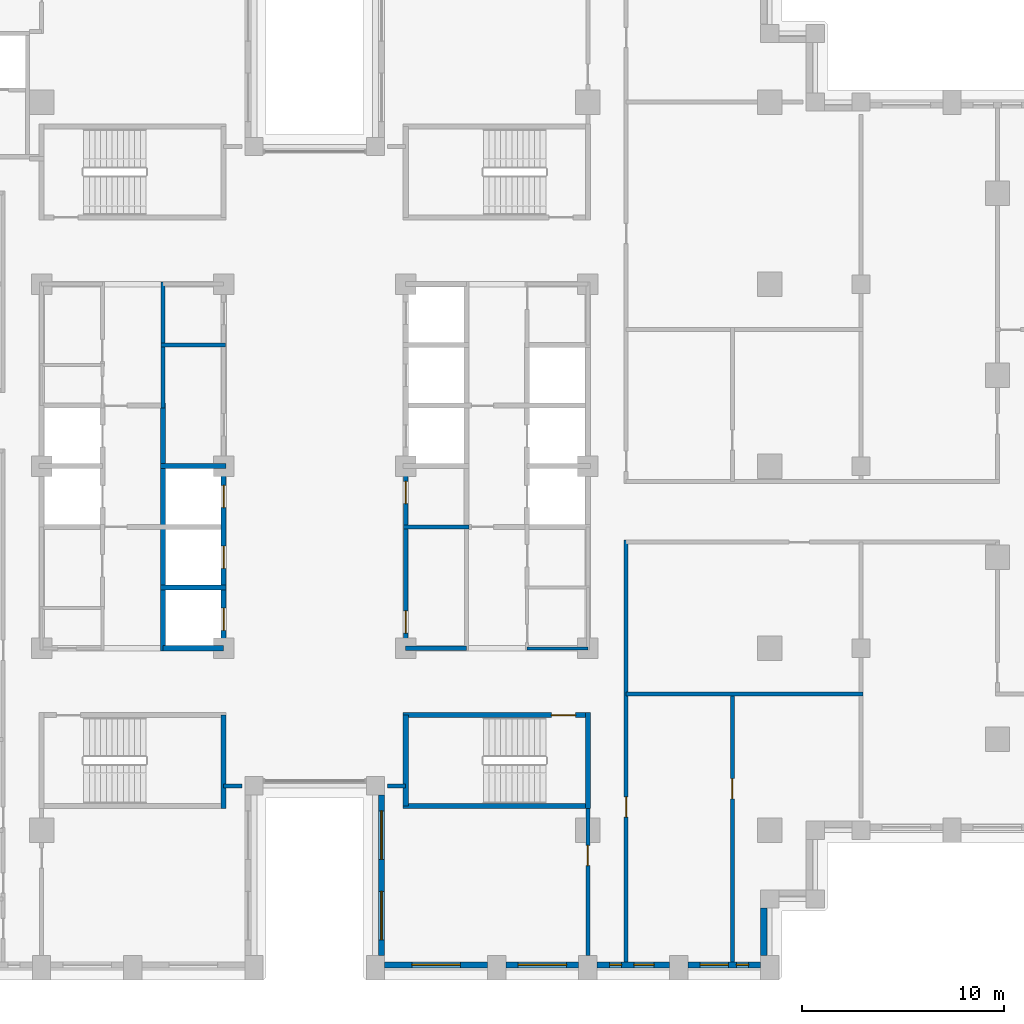
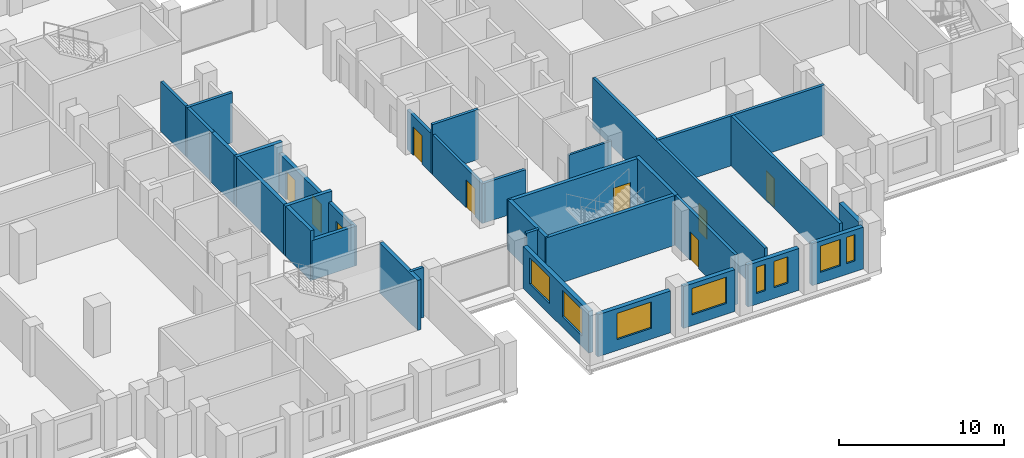
# One storey, part 8 of 16: 28 walls, 9 doors, 8 windows, 17 openings.
"""IFC4 building model written with IfcOpenShell, lengths in metres."""

from ifc_helpers import new_model, si_unit, direction, frame, frame_2d, origin, place, context, subcontext, project, spatial, rectangle, extrude, material, layer, layer_set, type_object, element, fill, save


model = new_model("IFC4")

# Units and contexts
model_context = context("Model", 3, precision=1e-05, world=origin(), true_north=direction((0.0, 1.0)))
body_context = subcontext(model_context, "Body", "Model", "MODEL_VIEW")
ifc_project = project(units=[si_unit("LENGTHUNIT", "METRE"), si_unit("AREAUNIT", "SQUARE_METRE"), si_unit("VOLUMEUNIT", "CUBIC_METRE"), si_unit("PLANEANGLEUNIT", "RADIAN"), si_unit("MASSUNIT", "GRAM", prefix="KILO")], contexts=[model_context])

# Site, building, storey
site_placement = place(None, origin())
site = spatial("IfcSite", under=ifc_project, at=site_placement, CompositionType="ELEMENT")
building_placement = place(site_placement, origin())
building = spatial("IfcBuilding", under=site, at=building_placement, Name="Corbelhall Arena Tower", CompositionType="ELEMENT")
storey_placement = place(building_placement, frame((0.0, 0.0, 72.0)))
storey = spatial("IfcBuildingStorey", under=building, at=storey_placement, Name="L10", CompositionType="ELEMENT", Elevation=72.0)

# Wall, openings, windows
ifc_material_1 = material(Name="Precast concrete C40/50 with granite facing", Category="masonry")
ifc_layer_1 = layer(ifc_material_1, 0.300048828125)
ifc_layer_set_1 = layer_set([ifc_layer_1], Name="EV-IW1 Infill panel 300")
wall_type_1 = type_object("IfcWallType", Name="EV-IW1 Infill panel 300", PredefinedType="SOLIDWALL", material=ifc_layer_set_1)
wall_1_placement = place(storey_placement, frame((3.300048828125, -16.25, 0.0), z_axis=(0.0, 0.0, 1.0), x_axis=(0.0, -1.0, 0.0)))
wall_1 = element("IfcWall", 1, at=wall_1_placement, inside=storey, type_object=wall_type_1, Name="Infill panel IW1", PredefinedType="SOLIDWALL", context=body_context, shape_type="SweptSolid", body=[
    extrude(rectangle(XDim=7.949951171875, YDim=0.300048828125, at=frame_2d((3.97509765625, 0.0))), origin(), (0.0, 0.0, 1.0), 3.10009765625),
])
opening_1_placement = place(wall_1_placement, frame((0.78759765625, 0.0, 0.800048828125)))
opening_1 = element("IfcOpeningElement", 2, at=opening_1_placement, cuts=wall_1, Name="Opening WN1", PredefinedType="OPENING", context=body_context, shape_type="SweptSolid", body=[
    extrude(rectangle(XDim=2.39990234375, YDim=1.949951171875, at=frame_2d((1.199951171875, 0.97509765625))), frame((0.0, 0.14990234375, 0.0), z_axis=(0.0, -1.0, 0.0), x_axis=(1.0, 0.0, 0.0)), (0.0, 0.0, 1.0), 0.300048828125),
])
opening_2_placement = place(wall_1_placement, frame((4.762451171875, 0.0, 0.800048828125)))
opening_2 = element("IfcOpeningElement", 3, at=opening_2_placement, cuts=wall_1, Name="Opening WN1", PredefinedType="OPENING", context=body_context, shape_type="SweptSolid", body=[
    extrude(rectangle(XDim=2.39990234375, YDim=1.949951171875, at=frame_2d((1.199951171875, 0.97509765625))), frame((0.0, 0.14990234375, 0.0), z_axis=(0.0, -1.0, 0.0), x_axis=(1.0, 0.0, 0.0)), (0.0, 0.0, 1.0), 0.300048828125),
])
ifc_material_2 = material(Name="Aluminium black anodised", Category="aluminium")
window_type_1 = type_object("IfcWindowType", Name="EV-WN1 Office window", PartitioningType="SINGLE_PANEL", PredefinedType="WINDOW", material=ifc_material_2)
window_1_placement = place(opening_1_placement, origin())
window_1 = element("IfcWindow", 4, at=window_1_placement, inside=storey, type_object=window_type_1, Name="Window WN1", OverallHeight=1.949951171875, OverallWidth=2.39990234375, PartitioningType="SINGLE_PANEL", PredefinedType="WINDOW", context=body_context, shape_type="SweptSolid", body=[
    extrude(rectangle(XDim=2.39990234375, YDim=1.949951171875, at=frame_2d((1.199951171875, 0.97509765625))), frame((0.0, 0.030029296875, 0.0), z_axis=(0.0, -1.0, 0.0), x_axis=(1.0, 0.0, 0.0)), (0.0, 0.0, 1.0), 0.06005859375),
])
fill(opening_1, window_1)
window_2_placement = place(opening_2_placement, origin())
window_2 = element("IfcWindow", 5, at=window_2_placement, inside=storey, type_object=window_type_1, Name="Window WN1", OverallHeight=1.949951171875, OverallWidth=2.39990234375, PartitioningType="SINGLE_PANEL", PredefinedType="WINDOW", context=body_context, shape_type="SweptSolid", body=[
    extrude(rectangle(XDim=2.39990234375, YDim=1.949951171875, at=frame_2d((1.199951171875, 0.97509765625))), frame((0.0, 0.030029296875, 0.0), z_axis=(0.0, -1.0, 0.0), x_axis=(1.0, 0.0, 0.0)), (0.0, 0.0, 1.0), 0.06005859375),
])
fill(opening_2, window_2)

# Wall, opening, window
wall_2_placement = place(storey_placement, frame((3.449951171875, -24.64990234375, 0.0), z_axis=(0.0, 0.0, 1.0), x_axis=(1.0, 0.0, 0.0)))
wall_2 = element("IfcWall", 6, at=wall_2_placement, inside=storey, type_object=wall_type_1, Name="Infill panel IW1", PredefinedType="SOLIDWALL", context=body_context, shape_type="SweptSolid", body=[
    extrude(rectangle(XDim=5.10009765625, YDim=0.300048828125, at=frame_2d((2.550048828125, 0.0))), origin(), (0.0, 0.0, 1.0), 3.10009765625),
])
opening_3_placement = place(wall_2_placement, frame((1.35009765625, 0.0, 0.800048828125)))
opening_3 = element("IfcOpeningElement", 7, at=opening_3_placement, cuts=wall_2, Name="Opening WN1", PredefinedType="OPENING", context=body_context, shape_type="SweptSolid", body=[
    extrude(rectangle(XDim=2.39990234375, YDim=1.949951171875, at=frame_2d((1.199951171875, 0.97509765625))), frame((0.0, 0.14990234375, 0.0), z_axis=(0.0, -1.0, 0.0), x_axis=(1.0, 0.0, 0.0)), (0.0, 0.0, 1.0), 0.300048828125),
])
window_3_placement = place(opening_3_placement, origin())
window_3 = element("IfcWindow", 8, at=window_3_placement, inside=storey, type_object=window_type_1, Name="Window WN1", OverallHeight=1.949951171875, OverallWidth=2.39990234375, PartitioningType="SINGLE_PANEL", PredefinedType="WINDOW", context=body_context, shape_type="SweptSolid", body=[
    extrude(rectangle(XDim=2.39990234375, YDim=1.949951171875, at=frame_2d((1.199951171875, 0.97509765625))), frame((0.0, 0.030029296875, 0.0), z_axis=(0.0, -1.0, 0.0), x_axis=(1.0, 0.0, 0.0)), (0.0, 0.0, 1.0), 0.06005859375),
])
fill(opening_3, window_3)

wall_3_placement = place(storey_placement, frame((9.449951171875, -24.64990234375, 0.0), z_axis=(0.0, 0.0, 1.0), x_axis=(1.0, 0.0, 0.0)))
wall_3 = element("IfcWall", 9, at=wall_3_placement, inside=storey, type_object=wall_type_1, Name="Infill panel IW1", PredefinedType="SOLIDWALL", context=body_context, shape_type="SweptSolid", body=[
    extrude(rectangle(XDim=3.60009765625, YDim=0.300048828125, at=frame_2d((1.800048828125, 0.0))), origin(), (0.0, 0.0, 1.0), 3.10009765625),
])
opening_4_placement = place(wall_3_placement, frame((0.60009765625, 0.0, 0.800048828125)))
opening_4 = element("IfcOpeningElement", 10, at=opening_4_placement, cuts=wall_3, Name="Opening WN1", PredefinedType="OPENING", context=body_context, shape_type="SweptSolid", body=[
    extrude(rectangle(XDim=2.39990234375, YDim=1.949951171875, at=frame_2d((1.199951171875, 0.97509765625))), frame((0.0, 0.14990234375, 0.0), z_axis=(0.0, -1.0, 0.0), x_axis=(1.0, 0.0, 0.0)), (0.0, 0.0, 1.0), 0.300048828125),
])
window_4_placement = place(opening_4_placement, origin())
window_4 = element("IfcWindow", 11, at=window_4_placement, inside=storey, type_object=window_type_1, Name="Window WN1", OverallHeight=1.949951171875, OverallWidth=2.39990234375, PartitioningType="SINGLE_PANEL", PredefinedType="WINDOW", context=body_context, shape_type="SweptSolid", body=[
    extrude(rectangle(XDim=2.39990234375, YDim=1.949951171875, at=frame_2d((1.199951171875, 0.97509765625))), frame((0.0, 0.030029296875, 0.0), z_axis=(0.0, -1.0, 0.0), x_axis=(1.0, 0.0, 0.0)), (0.0, 0.0, 1.0), 0.06005859375),
])
fill(opening_4, window_4)

# Wall, openings, windows
wall_4_placement = place(storey_placement, frame((13.949951171875, -24.64990234375, 0.0), z_axis=(0.0, 0.0, 1.0), x_axis=(1.0, 0.0, 0.0)))
wall_4 = element("IfcWall", 12, at=wall_4_placement, inside=storey, type_object=wall_type_1, Name="Infill panel IW1", PredefinedType="SOLIDWALL", context=body_context, shape_type="SweptSolid", body=[
    extrude(rectangle(XDim=3.60009765625, YDim=0.300048828125, at=frame_2d((1.800048828125, 0.0))), origin(), (0.0, 0.0, 1.0), 3.10009765625),
])
opening_5_placement = place(wall_4_placement, frame((0.625, 0.0, 0.800048828125)))
opening_5 = element("IfcOpeningElement", 13, at=opening_5_placement, cuts=wall_4, Name="Opening WN5", PredefinedType="OPENING", context=body_context, shape_type="SweptSolid", body=[
    extrude(rectangle(XDim=0.60009765625, YDim=1.949951171875, at=frame_2d((0.300048828125, 0.97509765625))), frame((0.0, 0.14990234375, 0.0), z_axis=(0.0, -1.0, 0.0), x_axis=(1.0, 0.0, 0.0)), (0.0, 0.0, 1.0), 0.300048828125),
])
opening_6_placement = place(wall_4_placement, frame((1.824951171875, 0.0, 0.800048828125)))
opening_6 = element("IfcOpeningElement", 14, at=opening_6_placement, cuts=wall_4, Name="Opening WN6", PredefinedType="OPENING", context=body_context, shape_type="SweptSolid", body=[
    extrude(rectangle(XDim=1.0, YDim=1.949951171875, at=frame_2d((0.5, 0.97509765625))), frame((0.0, 0.14990234375, 0.0), z_axis=(0.0, -1.0, 0.0), x_axis=(1.0, 0.0, 0.0)), (0.0, 0.0, 1.0), 0.300048828125),
])
window_type_2 = type_object("IfcWindowType", Name="EV-WN5 Office window 600", PartitioningType="SINGLE_PANEL", PredefinedType="WINDOW", material=ifc_material_2)
window_5_placement = place(opening_5_placement, origin())
window_5 = element("IfcWindow", 15, at=window_5_placement, inside=storey, type_object=window_type_2, Name="Window WN5", OverallHeight=1.949951171875, OverallWidth=0.60009765625, PartitioningType="SINGLE_PANEL", PredefinedType="WINDOW", context=body_context, shape_type="SweptSolid", body=[
    extrude(rectangle(XDim=0.60009765625, YDim=1.949951171875, at=frame_2d((0.300048828125, 0.97509765625))), frame((0.0, 0.030029296875, 0.0), z_axis=(0.0, -1.0, 0.0), x_axis=(1.0, 0.0, 0.0)), (0.0, 0.0, 1.0), 0.06005859375),
])
fill(opening_5, window_5)
window_type_3 = type_object("IfcWindowType", Name="EV-WN6 Office window 1000", PartitioningType="SINGLE_PANEL", PredefinedType="WINDOW", material=ifc_material_2)
window_6_placement = place(opening_6_placement, origin())
window_6 = element("IfcWindow", 16, at=window_6_placement, inside=storey, type_object=window_type_3, Name="Window WN6", OverallHeight=1.949951171875, OverallWidth=1.0, PartitioningType="SINGLE_PANEL", PredefinedType="WINDOW", context=body_context, shape_type="SweptSolid", body=[
    extrude(rectangle(XDim=1.0, YDim=1.949951171875, at=frame_2d((0.5, 0.97509765625))), frame((0.0, 0.030029296875, 0.0), z_axis=(0.0, -1.0, 0.0), x_axis=(1.0, 0.0, 0.0)), (0.0, 0.0, 1.0), 0.06005859375),
])
fill(opening_6, window_6)

wall_5_placement = place(storey_placement, frame((18.449951171875, -24.64990234375, 0.0), z_axis=(0.0, 0.0, 1.0), x_axis=(1.0, 0.0, 0.0)))
wall_5 = element("IfcWall", 17, at=wall_5_placement, inside=storey, type_object=wall_type_1, Name="Infill panel IW1", PredefinedType="SOLIDWALL", context=body_context, shape_type="SweptSolid", body=[
    extrude(rectangle(XDim=3.60009765625, YDim=0.300048828125, at=frame_2d((1.800048828125, 0.0))), origin(), (0.0, 0.0, 1.0), 3.10009765625),
])
opening_7_placement = place(wall_5_placement, frame((0.60009765625, 0.0, 0.800048828125)))
opening_7 = element("IfcOpeningElement", 18, at=opening_7_placement, cuts=wall_5, Name="Opening WN7", PredefinedType="OPENING", context=body_context, shape_type="SweptSolid", body=[
    extrude(rectangle(XDim=1.39990234375, YDim=1.949951171875, at=frame_2d((0.699951171875, 0.97509765625))), frame((0.0, 0.14990234375, 0.0), z_axis=(0.0, -1.0, 0.0), x_axis=(1.0, 0.0, 0.0)), (0.0, 0.0, 1.0), 0.300048828125),
])
opening_8_placement = place(wall_5_placement, frame((2.39990234375, 0.0, 0.800048828125)))
opening_8 = element("IfcOpeningElement", 19, at=opening_8_placement, cuts=wall_5, Name="Opening WN5", PredefinedType="OPENING", context=body_context, shape_type="SweptSolid", body=[
    extrude(rectangle(XDim=0.60009765625, YDim=1.949951171875, at=frame_2d((0.300048828125, 0.97509765625))), frame((0.0, 0.14990234375, 0.0), z_axis=(0.0, -1.0, 0.0), x_axis=(1.0, 0.0, 0.0)), (0.0, 0.0, 1.0), 0.300048828125),
])
window_7_placement = place(opening_8_placement, origin())
window_7 = element("IfcWindow", 20, at=window_7_placement, inside=storey, type_object=window_type_2, Name="Window WN5", OverallHeight=1.949951171875, OverallWidth=0.60009765625, PartitioningType="SINGLE_PANEL", PredefinedType="WINDOW", context=body_context, shape_type="SweptSolid", body=[
    extrude(rectangle(XDim=0.60009765625, YDim=1.949951171875, at=frame_2d((0.300048828125, 0.97509765625))), frame((0.0, 0.030029296875, 0.0), z_axis=(0.0, -1.0, 0.0), x_axis=(1.0, 0.0, 0.0)), (0.0, 0.0, 1.0), 0.06005859375),
])
fill(opening_8, window_7)
window_type_4 = type_object("IfcWindowType", Name="EV-WN7 Office window 1400", PartitioningType="SINGLE_PANEL", PredefinedType="WINDOW", material=ifc_material_2)
window_8_placement = place(opening_7_placement, origin())
window_8 = element("IfcWindow", 21, at=window_8_placement, inside=storey, type_object=window_type_4, Name="Window WN7", OverallHeight=1.949951171875, OverallWidth=1.39990234375, PartitioningType="SINGLE_PANEL", PredefinedType="WINDOW", context=body_context, shape_type="SweptSolid", body=[
    extrude(rectangle(XDim=1.39990234375, YDim=1.949951171875, at=frame_2d((0.699951171875, 0.97509765625))), frame((0.0, 0.030029296875, 0.0), z_axis=(0.0, -1.0, 0.0), x_axis=(1.0, 0.0, 0.0)), (0.0, 0.0, 1.0), 0.06005859375),
])
fill(opening_7, window_8)

# Walls
wall_6_placement = place(storey_placement, frame((22.199951171875, -24.199951171875, 0.0), z_axis=(0.0, 0.0, 1.0), x_axis=(0.0, 1.0, 0.0)))
element("IfcWall", 22, at=wall_6_placement, inside=storey, type_object=wall_type_1, Name="Infill panel IW1", PredefinedType="SOLIDWALL", context=body_context, shape_type="SweptSolid", body=[
    extrude(rectangle(XDim=2.349853515625, YDim=0.300048828125, at=frame_2d((1.1748046875, 0.0))), origin(), (0.0, 0.0, 1.0), 3.10009765625),
])
ifc_material_3 = material(Name="Gypsum board on steel stud, acoustic", Category="steel")
ifc_layer_2 = layer(ifc_material_3, 0.199951171875)
ifc_layer_set_2 = layer_set([ifc_layer_2], Name="IN-W-DM200")
wall_type_2 = type_object("IfcWallType", Name="IN-W-DM200", PredefinedType="PARTITIONING", material=ifc_layer_set_2)
for number, where, z_axis, x_axis, name in (
    (23, (-3.60009765625, -15.800048828125, 0.0), (0.0, 0.0, 1.0), (-1.0, 0.0, 0.0), "Partition 024"),
    (24, (4.5, -15.800048828125, 0.0), (0.0, 0.0, 1.0), (-1.0, 0.0, 0.0), "Partition 026"),
):
    element("IfcWall", number, at=place(storey_placement, frame(where, z_axis=z_axis, x_axis=x_axis)), inside=storey, type_object=wall_type_2, Name=name, PredefinedType="PARTITIONING", context=body_context, shape_type="SweptSolid", body=[
        extrude(rectangle(XDim=0.89990234375, YDim=0.199951171875, at=frame_2d((0.449951171875, 0.0))), origin(), (0.0, 0.0, 1.0), 3.699951171875),
    ])

# Wall, opening, door
wall_7_placement = place(storey_placement, frame((13.5, -24.199951171875, 0.0), z_axis=(0.0, 0.0, 1.0), x_axis=(0.0, 1.0, 0.0)))
wall_7 = element("IfcWall", 25, at=wall_7_placement, inside=storey, type_object=wall_type_2, Name="Partition 027", PredefinedType="PARTITIONING", context=body_context, shape_type="SweptSolid", body=[
    extrude(rectangle(XDim=7.52490234375, YDim=0.199951171875, at=frame_2d((3.762451171875, 0.0))), origin(), (0.0, 0.0, 1.0), 3.699951171875),
])
opening_9_placement = place(wall_7_placement, frame((4.449951171875, 0.0, 0.0)))
opening_9 = element("IfcOpeningElement", 26, at=opening_9_placement, cuts=wall_7, Name="Opening 01026", PredefinedType="OPENING", context=body_context, shape_type="SweptSolid", body=[
    extrude(rectangle(XDim=1.0, YDim=2.10009765625, at=frame_2d((0.5, 1.050048828125))), frame((0.0, 0.10009765625, 0.0), z_axis=(0.0, -1.0, 0.0), x_axis=(1.0, 0.0, 0.0)), (0.0, 0.0, 1.0), 0.199951171875),
])
ifc_material_4 = material(Name="Steel door set", Category="steel")
door_type_1 = type_object("IfcDoorType", Name="IN-D-SW100", OperationType="NOTDEFINED", PredefinedType="DOOR", material=ifc_material_4)
door_1_placement = place(opening_9_placement, origin())
door_1 = element("IfcDoor", 27, at=door_1_placement, inside=storey, type_object=door_type_1, Name="Door 026", OperationType="SINGLE_SWING_LEFT", OverallHeight=2.10009765625, OverallWidth=1.0, PredefinedType="DOOR", context=body_context, shape_type="SweptSolid", body=[
    extrude(rectangle(XDim=1.0, YDim=2.10009765625, at=frame_2d((0.5, 1.050048828125))), frame((0.0, 0.02490234375, 0.0), z_axis=(0.0, -1.0, 0.0), x_axis=(1.0, 0.0, 0.0)), (0.0, 0.0, 1.0), 0.050048828125),
])
fill(opening_9, door_1)

# Wall
wall_8_placement = place(storey_placement, frame((15.39990234375, -11.25, 0.0), z_axis=(0.0, 0.0, 1.0), x_axis=(1.0, 0.0, 0.0)))
element("IfcWall", 28, at=wall_8_placement, inside=storey, type_object=wall_type_2, Name="Partition 029", PredefinedType="PARTITIONING", context=body_context, shape_type="SweptSolid", body=[
    extrude(rectangle(XDim=11.7001953125, YDim=0.199951171875, at=frame_2d((5.85009765625, 0.0))), origin(), (0.0, 0.0, 1.0), 3.699951171875),
])

# Wall, opening, door
wall_9_placement = place(storey_placement, frame((15.39990234375, -3.64990234375, 0.0), z_axis=(0.0, 0.0, 1.0), x_axis=(0.0, -1.0, 0.0)))
wall_9 = element("IfcWall", 29, at=wall_9_placement, inside=storey, type_object=wall_type_2, Name="Partition 030", PredefinedType="PARTITIONING", context=body_context, shape_type="SweptSolid", body=[
    extrude(rectangle(XDim=20.85009765625, YDim=0.199951171875, at=frame_2d((10.425048828125, 0.0))), origin(), (0.0, 0.0, 1.0), 3.699951171875),
])
opening_10_placement = place(wall_9_placement, frame((12.699951171875, 0.0, 0.0)))
opening_10 = element("IfcOpeningElement", 30, at=opening_10_placement, cuts=wall_9, Name="Opening 01037", PredefinedType="OPENING", context=body_context, shape_type="SweptSolid", body=[
    extrude(rectangle(XDim=1.0, YDim=2.10009765625, at=frame_2d((0.5, 1.050048828125))), frame((0.0, 0.10009765625, 0.0), z_axis=(0.0, -1.0, 0.0), x_axis=(1.0, 0.0, 0.0)), (0.0, 0.0, 1.0), 0.199951171875),
])
door_2_placement = place(opening_10_placement, origin())
door_2 = element("IfcDoor", 31, at=door_2_placement, inside=storey, type_object=door_type_1, Name="Door 037", OperationType="SINGLE_SWING_RIGHT", OverallHeight=2.10009765625, OverallWidth=1.0, PredefinedType="DOOR", context=body_context, shape_type="SweptSolid", body=[
    extrude(rectangle(XDim=1.0, YDim=2.10009765625, at=frame_2d((0.5, 1.050048828125))), frame((0.0, 0.02490234375, 0.0), z_axis=(0.0, -1.0, 0.0), x_axis=(1.0, 0.0, 0.0)), (0.0, 0.0, 1.0), 0.050048828125),
])
fill(opening_10, door_2)

wall_10_placement = place(storey_placement, frame((20.64990234375, -11.14990234375, 0.0), z_axis=(0.0, 0.0, 1.0), x_axis=(0.0, -1.0, 0.0)))
wall_10 = element("IfcWall", 32, at=wall_10_placement, inside=storey, type_object=wall_type_2, Name="Partition 035", PredefinedType="PARTITIONING", context=body_context, shape_type="SweptSolid", body=[
    extrude(rectangle(XDim=13.35009765625, YDim=0.199951171875, at=frame_2d((6.675048828125, 0.0))), origin(), (0.0, 0.0, 1.0), 3.699951171875),
])
opening_11_placement = place(wall_10_placement, frame((4.300048828125, 0.0, 0.0)))
opening_11 = element("IfcOpeningElement", 33, at=opening_11_placement, cuts=wall_10, Name="Opening 01038", PredefinedType="OPENING", context=body_context, shape_type="SweptSolid", body=[
    extrude(rectangle(XDim=1.0, YDim=2.10009765625, at=frame_2d((0.5, 1.050048828125))), frame((0.0, 0.10009765625, 0.0), z_axis=(0.0, -1.0, 0.0), x_axis=(1.0, 0.0, 0.0)), (0.0, 0.0, 1.0), 0.199951171875),
])
door_3_placement = place(opening_11_placement, origin())
door_3 = element("IfcDoor", 34, at=door_3_placement, inside=storey, type_object=door_type_1, Name="Door 038", OperationType="SINGLE_SWING_LEFT", OverallHeight=2.10009765625, OverallWidth=1.0, PredefinedType="DOOR", context=body_context, shape_type="SweptSolid", body=[
    extrude(rectangle(XDim=1.0, YDim=2.10009765625, at=frame_2d((0.5, 1.050048828125))), frame((0.0, 0.02490234375, 0.0), z_axis=(0.0, -1.0, 0.0), x_axis=(1.0, 0.0, 0.0)), (0.0, 0.0, 1.0), 0.050048828125),
])
fill(opening_11, door_3)

# Walls
ifc_material_5 = material(Name="Concrete block wall", Category="concrete")
ifc_layer_3 = layer(ifc_material_5, 0.199951171875)
ifc_layer_set_3 = layer_set([ifc_layer_3], Name="IN-W-RS200")
wall_type_3 = type_object("IfcWallType", Name="IN-W-RS200", PredefinedType="SOLIDWALL", material=ifc_layer_set_3)
wall_11_placement = place(storey_placement, frame((-7.60009765625, 6.0, 0.0), z_axis=(0.0, 0.0, 1.0), x_axis=(1.0, 0.0, 0.0)))
element("IfcWall", 35, at=wall_11_placement, inside=storey, type_object=wall_type_3, Name="Partition 049", PredefinedType="SOLIDWALL", context=body_context, shape_type="SweptSolid", body=[
    extrude(rectangle(XDim=3.2001953125, YDim=0.199951171875, at=frame_2d((1.60009765625, 0.0))), origin(), (0.0, 0.0, 1.0), 3.699951171875),
])
wall_12_placement = place(storey_placement, frame((-7.5, 2.875, 0.0), z_axis=(0.0, 0.0, 1.0), x_axis=(0.0, 1.0, 0.0)))
element("IfcWall", 36, at=wall_12_placement, inside=storey, type_object=wall_type_3, Name="Partition 050", PredefinedType="SOLIDWALL", context=body_context, shape_type="SweptSolid", body=[
    extrude(rectangle(XDim=6.22509765625, YDim=0.199951171875, at=frame_2d((3.112548828125, 0.0))), origin(), (0.0, 0.0, 1.0), 3.699951171875),
])
wall_13_placement = place(storey_placement, frame((4.39990234375, -3.0, 0.0), z_axis=(0.0, 0.0, 1.0), x_axis=(1.0, 0.0, 0.0)))
element("IfcWall", 37, at=wall_13_placement, inside=storey, type_object=wall_type_3, Name="Partition 053", PredefinedType="SOLIDWALL", context=body_context, shape_type="SweptSolid", body=[
    extrude(rectangle(XDim=3.22509765625, YDim=0.199951171875, at=frame_2d((1.612548828125, 0.0))), origin(), (0.0, 0.0, 1.0), 3.699951171875),
])

# Wall, openings, doors
ifc_layer_4 = layer(ifc_material_5, 0.199951171875)
ifc_layer_set_4 = layer_set([ifc_layer_4], Name="IN-W-RS200 under beam 762 mm")
wall_type_4 = type_object("IfcWallType", Name="IN-W-RS200 under beam 762 mm", PredefinedType="SOLIDWALL", material=ifc_layer_set_4)
wall_14_placement = place(storey_placement, frame((4.5, -9.10009765625, 0.0), z_axis=(0.0, 0.0, 1.0), x_axis=(0.0, 1.0, 0.0)))
wall_14 = element("IfcWall", 38, at=wall_14_placement, inside=storey, type_object=wall_type_4, Name="Partition 054", PredefinedType="SOLIDWALL", context=body_context, shape_type="SweptSolid", body=[
    extrude(rectangle(XDim=9.10009765625, YDim=0.199951171875, at=frame_2d((4.550048828125, 0.0))), origin(), (0.0, 0.0, 1.0), 2.93798828125),
])
opening_12_placement = place(wall_14_placement, frame((0.85009765625, 0.0, 0.0)))
opening_12 = element("IfcOpeningElement", 39, at=opening_12_placement, cuts=wall_14, Name="Opening 01008", PredefinedType="OPENING", context=body_context, shape_type="SweptSolid", body=[
    extrude(rectangle(XDim=1.10009765625, YDim=2.10009765625, at=frame_2d((0.550048828125, 1.050048828125))), frame((0.0, 0.10009765625, 0.0), z_axis=(0.0, -1.0, 0.0), x_axis=(1.0, 0.0, 0.0)), (0.0, 0.0, 1.0), 0.199951171875),
])
opening_13_placement = place(wall_14_placement, frame((7.25, 0.0, 0.0)))
opening_13 = element("IfcOpeningElement", 40, at=opening_13_placement, cuts=wall_14, Name="Opening 01009", PredefinedType="OPENING", context=body_context, shape_type="SweptSolid", body=[
    extrude(rectangle(XDim=1.10009765625, YDim=2.10009765625, at=frame_2d((0.550048828125, 1.050048828125))), frame((0.0, 0.10009765625, 0.0), z_axis=(0.0, -1.0, 0.0), x_axis=(1.0, 0.0, 0.0)), (0.0, 0.0, 1.0), 0.199951171875),
])
door_type_2 = type_object("IfcDoorType", Name="IN-D-FD110", OperationType="NOTDEFINED", PredefinedType="DOOR", material=ifc_material_4)
door_4_placement = place(opening_12_placement, origin())
door_4 = element("IfcDoor", 41, at=door_4_placement, inside=storey, type_object=door_type_2, Name="Door 008", OperationType="SINGLE_SWING_LEFT", OverallHeight=2.10009765625, OverallWidth=1.10009765625, PredefinedType="DOOR", context=body_context, shape_type="SweptSolid", body=[
    extrude(rectangle(XDim=1.10009765625, YDim=2.10009765625, at=frame_2d((0.550048828125, 1.050048828125))), frame((0.0, 0.02490234375, 0.0), z_axis=(0.0, -1.0, 0.0), x_axis=(1.0, 0.0, 0.0)), (0.0, 0.0, 1.0), 0.050048828125),
])
fill(opening_12, door_4)
door_5_placement = place(opening_13_placement, origin())
door_5 = element("IfcDoor", 42, at=door_5_placement, inside=storey, type_object=door_type_2, Name="Door 009", OperationType="SINGLE_SWING_RIGHT", OverallHeight=2.10009765625, OverallWidth=1.10009765625, PredefinedType="DOOR", context=body_context, shape_type="SweptSolid", body=[
    extrude(rectangle(XDim=1.10009765625, YDim=2.10009765625, at=frame_2d((0.550048828125, 1.050048828125))), frame((0.0, 0.02490234375, 0.0), z_axis=(0.0, -1.0, 0.0), x_axis=(1.0, 0.0, 0.0)), (0.0, 0.0, 1.0), 0.050048828125),
])
fill(opening_13, door_5)

# Walls
wall_15_placement = place(storey_placement, frame((7.5, -9.0, 0.0), z_axis=(0.0, 0.0, 1.0), x_axis=(-1.0, 0.0, 0.0)))
element("IfcWall", 43, at=wall_15_placement, inside=storey, type_object=wall_type_4, Name="Partition 055", PredefinedType="SOLIDWALL", context=body_context, shape_type="SweptSolid", body=[
    extrude(rectangle(XDim=3.0, YDim=0.199951171875, at=frame_2d((1.5, 0.0))), origin(), (0.0, 0.0, 1.0), 2.93798828125),
])
ifc_material_6 = material(Name="Concrete C40/50", Category="concrete")
ifc_layer_5 = layer(ifc_material_6, 0.25)
ifc_layer_set_5 = layer_set([ifc_layer_5], Name="IN-W-SH250")
wall_type_5 = type_object("IfcWallType", Name="IN-W-SH250", PredefinedType="SOLIDWALL", material=ifc_layer_set_5)
for number, where, z_axis, x_axis, name in (
    (44, (-7.625, -6.0, 0.0), (0.0, 0.0, 1.0), (1.0, 0.0, 0.0), "Shaft wall 067"),
    (45, (-7.625, 0.0, 0.0), (0.0, 0.0, 1.0), (1.0, 0.0, 0.0), "Shaft wall 068"),
):
    element("IfcWall", number, at=place(storey_placement, frame(where, z_axis=z_axis, x_axis=x_axis)), inside=storey, type_object=wall_type_5, Name=name, PredefinedType="SOLIDWALL", context=body_context, shape_type="SweptSolid", body=[
        extrude(rectangle(XDim=3.25, YDim=0.25, at=frame_2d((1.625, 0.0))), origin(), (0.0, 0.0, 1.0), 3.699951171875),
    ])
wall_16_placement = place(storey_placement, frame((-7.5, -9.125, 0.0), z_axis=(0.0, 0.0, 1.0), x_axis=(0.0, 1.0, 0.0)))
element("IfcWall", 46, at=wall_16_placement, inside=storey, type_object=wall_type_5, Name="Shaft wall 069", PredefinedType="SOLIDWALL", context=body_context, shape_type="SweptSolid", body=[
    extrude(rectangle(XDim=12.25, YDim=0.25, at=frame_2d((6.125, 0.0))), origin(), (0.0, 0.0, 1.0), 3.699951171875),
])
ifc_layer_6 = layer(ifc_material_6, 0.25)
ifc_layer_set_6 = layer_set([ifc_layer_6], Name="IN-W-SH250 under beam 762 mm")
wall_type_6 = type_object("IfcWallType", Name="IN-W-SH250 under beam 762 mm", PredefinedType="SOLIDWALL", material=ifc_layer_set_6)
wall_17_placement = place(storey_placement, frame((-4.5, -9.0, 0.0), z_axis=(0.0, 0.0, 1.0), x_axis=(-1.0, 0.0, 0.0)))
element("IfcWall", 47, at=wall_17_placement, inside=storey, type_object=wall_type_6, Name="Shaft wall 070", PredefinedType="SOLIDWALL", context=body_context, shape_type="SweptSolid", body=[
    extrude(rectangle(XDim=3.0, YDim=0.25, at=frame_2d((1.5, 0.0))), origin(), (0.0, 0.0, 1.0), 2.93798828125),
])

# Wall, openings, doors
wall_18_placement = place(storey_placement, frame((-4.5, 0.0, 0.0), z_axis=(0.0, 0.0, 1.0), x_axis=(0.0, -1.0, 0.0)))
wall_18 = element("IfcWall", 48, at=wall_18_placement, inside=storey, type_object=wall_type_6, Name="Shaft wall 071", PredefinedType="SOLIDWALL", context=body_context, shape_type="SweptSolid", body=[
    extrude(rectangle(XDim=9.125, YDim=0.25, at=frame_2d((4.5625, 0.0))), origin(), (0.0, 0.0, 1.0), 2.93798828125),
])
opening_14_placement = place(wall_18_placement, frame((7.012451171875, 0.0, 0.0)))
opening_14 = element("IfcOpeningElement", 49, at=opening_14_placement, cuts=wall_18, Name="Opening LD", PredefinedType="OPENING", context=body_context, shape_type="SweptSolid", body=[
    extrude(rectangle(XDim=1.10009765625, YDim=2.10009765625, at=frame_2d((0.550048828125, 1.050048828125))), frame((0.0, 0.125, 0.0), z_axis=(0.0, -1.0, 0.0), x_axis=(1.0, 0.0, 0.0)), (0.0, 0.0, 1.0), 0.25),
])
opening_15_placement = place(wall_18_placement, frame((3.949951171875, 0.0, 0.0)))
opening_15 = element("IfcOpeningElement", 50, at=opening_15_placement, cuts=wall_18, Name="Opening LD", PredefinedType="OPENING", context=body_context, shape_type="SweptSolid", body=[
    extrude(rectangle(XDim=1.10009765625, YDim=2.10009765625, at=frame_2d((0.550048828125, 1.050048828125))), frame((0.0, 0.125, 0.0), z_axis=(0.0, -1.0, 0.0), x_axis=(1.0, 0.0, 0.0)), (0.0, 0.0, 1.0), 0.25),
])
opening_16_placement = place(wall_18_placement, frame((0.949951171875, 0.0, 0.0)))
opening_16 = element("IfcOpeningElement", 51, at=opening_16_placement, cuts=wall_18, Name="Opening LD", PredefinedType="OPENING", context=body_context, shape_type="SweptSolid", body=[
    extrude(rectangle(XDim=1.10009765625, YDim=2.10009765625, at=frame_2d((0.550048828125, 1.050048828125))), frame((0.0, 0.125, 0.0), z_axis=(0.0, -1.0, 0.0), x_axis=(1.0, 0.0, 0.0)), (0.0, 0.0, 1.0), 0.25),
])
door_type_3 = type_object("IfcDoorType", Name="IN-D-LD110", OperationType="NOTDEFINED", PredefinedType="DOOR", material=ifc_material_4)
door_6_placement = place(opening_14_placement, origin())
door_6 = element("IfcDoor", 52, at=door_6_placement, inside=storey, type_object=door_type_3, Name="Landing door W1", OperationType="SLIDING_TO_LEFT", OverallHeight=2.10009765625, OverallWidth=1.10009765625, PredefinedType="DOOR", context=body_context, shape_type="SweptSolid", body=[
    extrude(rectangle(XDim=1.10009765625, YDim=2.10009765625, at=frame_2d((0.550048828125, 1.050048828125))), frame((0.0, 0.02490234375, 0.0), z_axis=(0.0, -1.0, 0.0), x_axis=(1.0, 0.0, 0.0)), (0.0, 0.0, 1.0), 0.050048828125),
])
fill(opening_14, door_6)
door_7_placement = place(opening_15_placement, origin())
door_7 = element("IfcDoor", 53, at=door_7_placement, inside=storey, type_object=door_type_3, Name="Landing door W2", OperationType="SLIDING_TO_LEFT", OverallHeight=2.10009765625, OverallWidth=1.10009765625, PredefinedType="DOOR", context=body_context, shape_type="SweptSolid", body=[
    extrude(rectangle(XDim=1.10009765625, YDim=2.10009765625, at=frame_2d((0.550048828125, 1.050048828125))), frame((0.0, 0.02490234375, 0.0), z_axis=(0.0, -1.0, 0.0), x_axis=(1.0, 0.0, 0.0)), (0.0, 0.0, 1.0), 0.050048828125),
])
fill(opening_15, door_7)
door_8_placement = place(opening_16_placement, origin())
door_8 = element("IfcDoor", 54, at=door_8_placement, inside=storey, type_object=door_type_3, Name="Landing door W3", OperationType="SLIDING_TO_LEFT", OverallHeight=2.10009765625, OverallWidth=1.10009765625, PredefinedType="DOOR", context=body_context, shape_type="SweptSolid", body=[
    extrude(rectangle(XDim=1.10009765625, YDim=2.10009765625, at=frame_2d((0.550048828125, 1.050048828125))), frame((0.0, 0.02490234375, 0.0), z_axis=(0.0, -1.0, 0.0), x_axis=(1.0, 0.0, 0.0)), (0.0, 0.0, 1.0), 0.050048828125),
])
fill(opening_16, door_8)

# Walls
ifc_layer_7 = layer(ifc_material_6, 0.25)
ifc_layer_set_7 = layer_set([ifc_layer_7], Name="IN-W-ST250")
wall_type_7 = type_object("IfcWallType", Name="IN-W-ST250", PredefinedType="SOLIDWALL", material=ifc_layer_set_7)
wall_19_placement = place(storey_placement, frame((-4.5, -12.300048828125, 0.0), z_axis=(0.0, 0.0, 1.0), x_axis=(0.0, -1.0, 0.0)))
element("IfcWall", 55, at=wall_19_placement, inside=storey, type_object=wall_type_7, Name="Shaft wall 094", PredefinedType="SOLIDWALL", context=body_context, shape_type="SweptSolid", body=[
    extrude(rectangle(XDim=4.625, YDim=0.25, at=frame_2d((2.3125, 0.0))), origin(), (0.0, 0.0, 1.0), 3.699951171875),
])
wall_20_placement = place(storey_placement, frame((4.5, -16.800048828125, 0.0), z_axis=(0.0, 0.0, 1.0), x_axis=(0.0, 1.0, 0.0)))
element("IfcWall", 56, at=wall_20_placement, inside=storey, type_object=wall_type_7, Name="Shaft wall 099", PredefinedType="SOLIDWALL", context=body_context, shape_type="SweptSolid", body=[
    extrude(rectangle(XDim=4.5, YDim=0.25, at=frame_2d((2.25, 0.0))), origin(), (0.0, 0.0, 1.0), 3.699951171875),
])
wall_21_placement = place(storey_placement, frame((13.5, -16.925048828125, 0.0), z_axis=(0.0, 0.0, 1.0), x_axis=(0.0, 1.0, 0.0)))
element("IfcWall", 57, at=wall_21_placement, inside=storey, type_object=wall_type_7, Name="Shaft wall 101", PredefinedType="SOLIDWALL", context=body_context, shape_type="SweptSolid", body=[
    extrude(rectangle(XDim=4.75, YDim=0.25, at=frame_2d((2.375, 0.0))), origin(), (0.0, 0.0, 1.0), 3.699951171875),
])
wall_22_placement = place(storey_placement, frame((13.5, -16.800048828125, 0.0), z_axis=(0.0, 0.0, 1.0), x_axis=(-1.0, 0.0, 0.0)))
element("IfcWall", 58, at=wall_22_placement, inside=storey, type_object=wall_type_7, Name="Shaft wall 102", PredefinedType="SOLIDWALL", context=body_context, shape_type="SweptSolid", body=[
    extrude(rectangle(XDim=9.125, YDim=0.25, at=frame_2d((4.5625, 0.0))), origin(), (0.0, 0.0, 1.0), 3.699951171875),
])

# Wall, opening, door
wall_23_placement = place(storey_placement, frame((13.5, -12.300048828125, 0.0), z_axis=(0.0, 0.0, 1.0), x_axis=(-1.0, 0.0, 0.0)))
wall_23 = element("IfcWall", 59, at=wall_23_placement, inside=storey, type_object=wall_type_7, Name="Shaft wall 103", PredefinedType="SOLIDWALL", context=body_context, shape_type="SweptSolid", body=[
    extrude(rectangle(XDim=9.125, YDim=0.25, at=frame_2d((4.5625, 0.0))), origin(), (0.0, 0.0, 1.0), 3.699951171875),
])
opening_17_placement = place(wall_23_placement, frame((0.60009765625, 0.0, 0.0)))
opening_17 = element("IfcOpeningElement", 60, at=opening_17_placement, cuts=wall_23, Name="Opening 01018", PredefinedType="OPENING", context=body_context, shape_type="SweptSolid", body=[
    extrude(rectangle(XDim=1.199951171875, YDim=2.10009765625, at=frame_2d((0.60009765625, 1.050048828125))), frame((0.0, 0.125, 0.0), z_axis=(0.0, -1.0, 0.0), x_axis=(1.0, 0.0, 0.0)), (0.0, 0.0, 1.0), 0.25),
])
door_type_4 = type_object("IfcDoorType", Name="IN-D-ST120", OperationType="NOTDEFINED", PredefinedType="DOOR", material=ifc_material_4)
door_9_placement = place(opening_17_placement, origin())
door_9 = element("IfcDoor", 61, at=door_9_placement, inside=storey, type_object=door_type_4, Name="Door 018", OperationType="SINGLE_SWING_LEFT", OverallHeight=2.10009765625, OverallWidth=1.199951171875, PredefinedType="DOOR", context=body_context, shape_type="SweptSolid", body=[
    extrude(rectangle(XDim=1.199951171875, YDim=2.10009765625, at=frame_2d((0.60009765625, 1.050048828125))), frame((0.0, 0.02490234375, 0.0), z_axis=(0.0, -1.0, 0.0), x_axis=(1.0, 0.0, 0.0)), (0.0, 0.0, 1.0), 0.050048828125),
])
fill(opening_17, door_9)

# Wall
ifc_material_7 = material(Name="Gypsum board on steel stud, moisture resistant", Category="steel")
ifc_layer_8 = layer(ifc_material_7, 0.14990234375)
ifc_layer_set_8 = layer_set([ifc_layer_8], Name="IN-W-WC150 under beam 762 mm")
wall_type_8 = type_object("IfcWallType", Name="IN-W-WC150 under beam 762 mm", PredefinedType="PARTITIONING", material=ifc_layer_set_8)
wall_24_placement = place(storey_placement, frame((13.5, -9.0, 0.0), z_axis=(0.0, 0.0, 1.0), x_axis=(-1.0, 0.0, 0.0)))
element("IfcWall", 62, at=wall_24_placement, inside=storey, type_object=wall_type_8, Name="Partition 120", PredefinedType="PARTITIONING", context=body_context, shape_type="SweptSolid", body=[
    extrude(rectangle(XDim=3.0, YDim=0.14990234375, at=frame_2d((1.5, 0.0))), origin(), (0.0, 0.0, 1.0), 2.93798828125),
])

save(model, "model.ifc")
